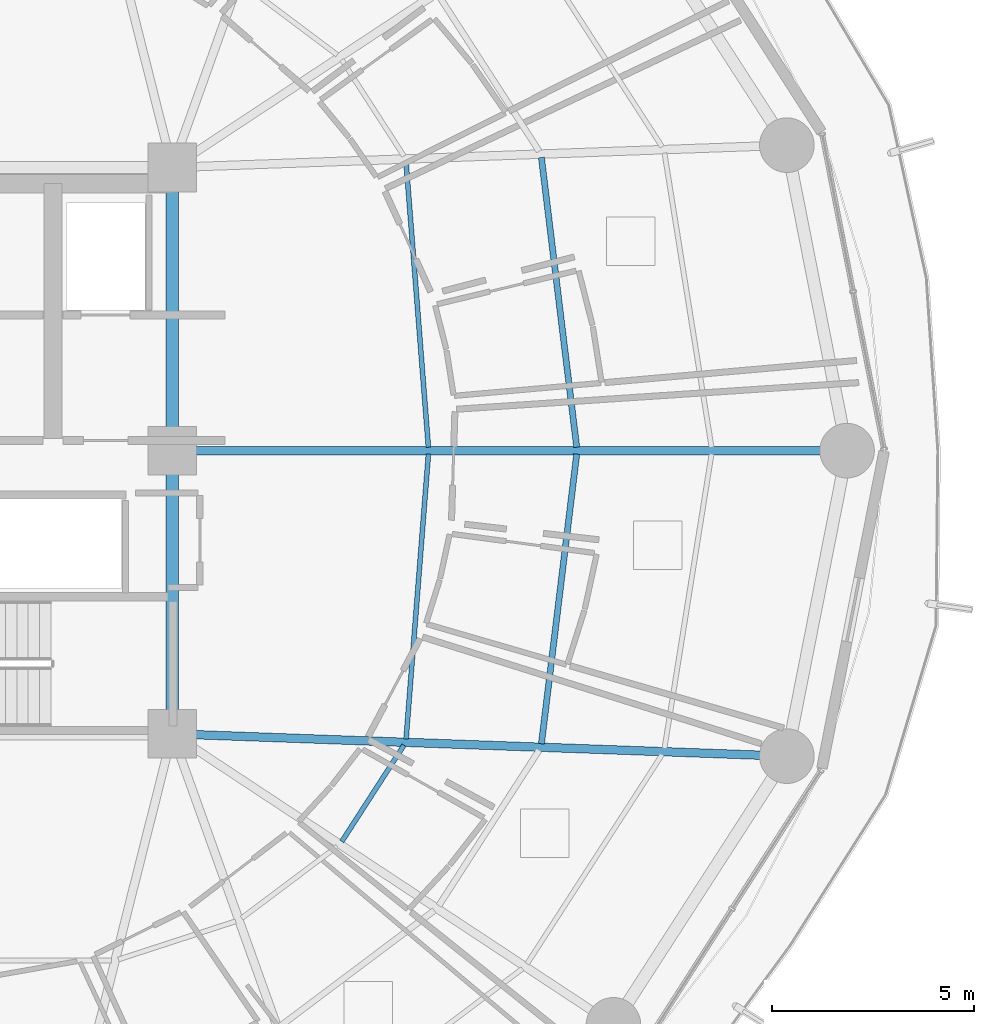
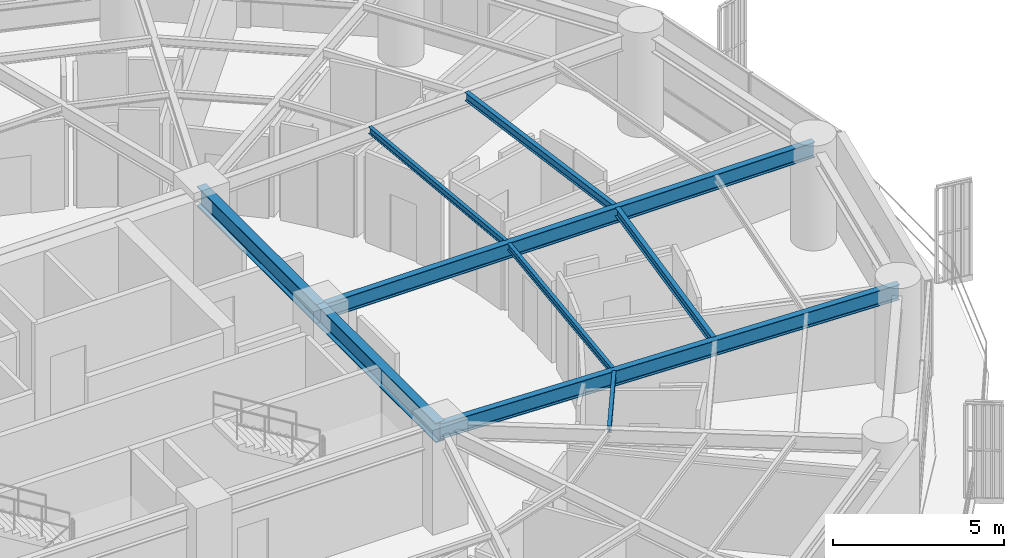
# One storey, part 15 of 36: 9 beams.
"""IFC4 building model written with IfcOpenShell, lengths in metres."""

import ifcopenshell
import ifcopenshell.guid

model = None  # the IFC model being written
_history = None  # IfcOwnerHistory: only IFC2X3 demands one
_inside = {}  # id of a spatial element -> (the spatial element, [elements in it])
_under = {}  # id of a project, library or spatial element -> (it, [spatial elements below it])
_declared = {}  # id of a project -> (the project, [libraries it declares])
_typed = {}  # id of a type object -> (the type object, [elements of that type])
_made_of = {}  # id of a material, layer set ... -> (it, [elements and type objects made of it])


def new_model(schema):
    """Start an empty IFC model of exactly this schema.

    Asked for "IFC4X3", IfcOpenShell would pick the latest addendum, in which some entities
    have other attributes; the version numbers below select the first issue.
    IFC2X3 requires an IfcOwnerHistory on every rooted entity: one is made here for all.
    """
    global model, _history
    if schema == "IFC4X3":
        model = ifcopenshell.file(schema_version=(4, 3, 0, 0))
    else:
        model = ifcopenshell.file(schema=schema)
    _inside.clear()
    _under.clear()
    _declared.clear()
    _typed.clear()
    _made_of.clear()
    _history = None
    if model.schema == "IFC2X3":
        org = make("IfcOrganization", Name="unknown")
        user = make(
            "IfcPersonAndOrganization",
            ThePerson=make("IfcPerson", FamilyName="unknown"),
            TheOrganization=org,
        )
        app = make(
            "IfcApplication",
            ApplicationDeveloper=org,
            Version="unknown",
            ApplicationFullName="unknown",
            ApplicationIdentifier="unknown",
        )
        _history = make(
            "IfcOwnerHistory",
            OwningUser=user,
            OwningApplication=app,
            ChangeAction="ADDED",
            CreationDate=0,
        )
    return model


def make(cls, **values):
    """One entity of the class cls with the attributes given. An attribute that is None is left unset."""
    return model.create_entity(
        cls, **{name: value for name, value in values.items() if value is not None}
    )


def rooted(cls, **values):
    """An entity with a GlobalId (a new one), such as an element, a storey or a relation."""
    return make(cls, GlobalId=ifcopenshell.guid.new(), OwnerHistory=_history, **values)


def si_unit(unit_type, name, prefix=None):
    """IfcSIUnit, for example si_unit("LENGTHUNIT", "METRE", prefix="MILLI")."""
    return make("IfcSIUnit", UnitType=unit_type, Prefix=prefix, Name=name)


def assignment(units):
    """IfcUnitAssignment: the units of a project."""
    return None if units is None else make("IfcUnitAssignment", Units=units)


def point(xyz):
    """IfcCartesianPoint."""
    return None if xyz is None else make("IfcCartesianPoint", Coordinates=xyz)


def direction(xyz):
    """IfcDirection."""
    return None if xyz is None else make("IfcDirection", DirectionRatios=xyz)


def frame(location, z_axis=None, x_axis=None):
    """IfcAxis2Placement3D, a coordinate frame: its origin and axes. An axis left out is left unset."""
    return make(
        "IfcAxis2Placement3D",
        Location=point(location),
        Axis=direction(z_axis),
        RefDirection=direction(x_axis),
    )


def frame_2d(location, x_axis=None):
    """IfcAxis2Placement2D, a coordinate frame in the plane: its origin and x axis."""
    return make(
        "IfcAxis2Placement2D", Location=point(location), RefDirection=direction(x_axis)
    )


def origin():
    """The frame at (0, 0, 0) with its axes left unset."""
    return frame((0.0, 0.0, 0.0))


def origin_2d():
    """The frame at (0, 0) in the plane with its x axis left unset."""
    return frame_2d((0.0, 0.0))


def place(relative_to, where):
    """IfcLocalPlacement: puts the frame where relative to a parent placement (None: the world)."""
    return make(
        "IfcLocalPlacement", PlacementRelTo=relative_to, RelativePlacement=where
    )


def context(
    kind, dimensions, precision=None, world=None, true_north=None, identifier=None
):
    """IfcGeometricRepresentationContext, for example the 3D "Model" context."""
    return make(
        "IfcGeometricRepresentationContext",
        ContextIdentifier=identifier,
        ContextType=kind,
        CoordinateSpaceDimension=dimensions,
        Precision=precision,
        WorldCoordinateSystem=world,
        TrueNorth=true_north,
    )


def subcontext(parent, identifier, kind, view, scale=None):
    """IfcGeometricRepresentationSubContext, for example "Body" below "Model"."""
    return make(
        "IfcGeometricRepresentationSubContext",
        ContextIdentifier=identifier,
        ContextType=kind,
        ParentContext=parent,
        TargetScale=scale,
        TargetView=view,
    )


def project(units=None, contexts=None):
    """IfcProject with its units and contexts."""
    return rooted(
        "IfcProject",
        Name="project",
        RepresentationContexts=contexts,
        UnitsInContext=assignment(units),
    )


def spatial(cls, under=None, at=None, **own):
    """A site, building, storey or space (cls), placed at a placement, below another one or the project."""
    s = rooted(cls, ObjectPlacement=at, **own)
    if under is not None:
        _under.setdefault(under.id(), (under, []))[1].append(s)
    return s


def profile(cls, at=None, kind="AREA", **sizes):
    """A parametric profile (cls). Its sizes go by their IFC names, for example OverallWidth=200.0."""
    return make(cls, ProfileType=kind, Position=at, **sizes)


def i_section(**sizes):
    """IfcIShapeProfileDef."""
    return profile("IfcIShapeProfileDef", **sizes)


def extrude(swept, where, along, depth):
    """IfcExtrudedAreaSolid: the profile swept, set in the frame where, extruded along a direction by depth."""
    return make(
        "IfcExtrudedAreaSolid",
        SweptArea=swept,
        Position=where,
        ExtrudedDirection=direction(along),
        Depth=depth,
    )


def shape(context_of_items, identifier, shape_type, items):
    """IfcShapeRepresentation: the items that make up one representation, for example the "Body"."""
    return make(
        "IfcShapeRepresentation",
        ContextOfItems=context_of_items,
        RepresentationIdentifier=identifier,
        RepresentationType=shape_type,
        Items=items,
    )


def material(Name=None, Category=None):
    """IfcMaterial."""
    return make("IfcMaterial", Name=Name, Category=Category)


def material_profile(
    of_material, cross_section, Name=None, Category=None, Priority=None
):
    """IfcMaterialProfile: a cross section and its material."""
    return make(
        "IfcMaterialProfile",
        Name=Name,
        Material=of_material,
        Profile=cross_section,
        Priority=Priority,
        Category=Category,
    )


def profile_set(profiles, Name=None, composite=None):
    """IfcMaterialProfileSet."""
    return make(
        "IfcMaterialProfileSet",
        Name=Name,
        MaterialProfiles=profiles,
        CompositeProfile=composite,
    )


def made_of(thing, what):
    """Note that an element or type object is made of a material, layer set ...; save() writes the relation."""
    if what is not None:
        _made_of.setdefault(what.id(), (what, []))[1].append(thing)
    return thing


def type_object(cls, material=None, **own):
    """A type object (cls), such as IfcWallType, which elements share."""
    return made_of(rooted(cls, **own), material)


def element(
    cls,
    number,
    at=None,
    inside=None,
    cuts=None,
    type_object=None,
    material=None,
    context=None,
    identifier="Body",
    shape_type=None,
    held_by="IfcProductDefinitionShape",
    body=None,
    shapes=None,
    **own,
):
    """One element of the class cls, such as IfcWall. Its Tag is "e" and its number.

    at: its placement. inside: the storey or other place that contains it. cuts: it is an
    opening in that element (IfcRelVoidsElement). A single representation is given by context,
    identifier, shape_type and body (its items); several are given by shapes. held_by: the class
    of the entity that holds the representations. save() writes the other relations.
    """
    e = rooted(cls, Tag="e%d" % number, ObjectPlacement=at, **own)
    if body is not None:
        shapes = [shape(context, identifier, shape_type, body)]
    if shapes is not None:
        e.Representation = make(held_by, Representations=shapes)
    if inside is not None:
        _inside.setdefault(inside.id(), (inside, []))[1].append(e)
    if cuts is not None:
        rooted(
            "IfcRelVoidsElement", RelatingBuildingElement=cuts, RelatedOpeningElement=e
        )
    if type_object is not None:
        _typed.setdefault(type_object.id(), (type_object, []))[1].append(e)
    return made_of(e, material)


def aggregate(whole, parts):
    """IfcRelAggregates: a whole, such as a stair, and the parts it consists of."""
    return rooted("IfcRelAggregates", RelatingObject=whole, RelatedObjects=parts)


def save(model, path):
    """Write the relations noted so far, then the file.

    IfcRelAggregates (storeys below a building ...), IfcRelContainedInSpatialStructure (elements
    in a storey), IfcRelDefinesByType, IfcRelAssociatesMaterial and IfcRelDeclares: one each for
    every whole, place, type object, material and project.
    """
    for whole, parts in _under.values():
        aggregate(whole, parts)
    for where, things in _inside.values():
        rooted(
            "IfcRelContainedInSpatialStructure",
            RelatedElements=things,
            RelatingStructure=where,
        )
    for kind, things in _typed.values():
        rooted("IfcRelDefinesByType", RelatedObjects=things, RelatingType=kind)
    for what, things in _made_of.values():
        rooted("IfcRelAssociatesMaterial", RelatedObjects=things, RelatingMaterial=what)
    for by, libraries in _declared.values():
        rooted("IfcRelDeclares", RelatingContext=by, RelatedDefinitions=libraries)
    model.write(path)


model = new_model("IFC4")

# Units and contexts
model_context = context("Model", 3, precision=1e-05, world=origin(), true_north=direction((0.0, 1.0)))
body_context = subcontext(model_context, "Body", "Model", "MODEL_VIEW")
ifc_project = project(units=[si_unit("LENGTHUNIT", "METRE"), si_unit("AREAUNIT", "SQUARE_METRE"), si_unit("VOLUMEUNIT", "CUBIC_METRE"), si_unit("PLANEANGLEUNIT", "RADIAN"), si_unit("MASSUNIT", "GRAM", prefix="KILO")], contexts=[model_context])

# Site, building, storey
site_placement = place(None, origin())
site = spatial("IfcSite", under=ifc_project, at=site_placement, CompositionType="ELEMENT")
building_placement = place(site_placement, origin())
building = spatial("IfcBuilding", under=site, at=building_placement, Name="Kelanora Arch Commons", CompositionType="ELEMENT")
storey_placement = place(building_placement, frame((0.0, 0.0, 102.60009765625)))
storey = spatial("IfcBuildingStorey", under=building, at=storey_placement, Name="L26", CompositionType="ELEMENT", Elevation=102.60009765625)

# Beams
ifc_material = material(Name="Steel S355", Category="steel")
ifc_material_profile_1 = material_profile(ifc_material, i_section(OverallWidth=0.300048828125, OverallDepth=0.699951171875, WebThickness=0.01708984375, FlangeThickness=0.031982421875, FilletRadius=0.027099609375, at=origin_2d()), Name="HEB700")
ifc_profile_set_1 = profile_set([ifc_material_profile_1], Name="Steel S355")
beam_type_1 = type_object("IfcBeamType", Name="BM-CORE-HDR", PredefinedType="BEAM", material=ifc_profile_set_1)
for number, where, z_axis, x_axis, name in (
    (1, (82.0, 51.0, 3.139892578125), (0.0, 1.0, 0.0), (-1.0, 0.0, 0.0), "Core Header Beam 03 L26"),
    (2, (82.0, 58.0, 3.139892578125), (0.0, 1.0, 0.0), (-1.0, 0.0, 0.0), "Core Header Beam 04 L26"),
):
    element("IfcBeam", number, at=place(storey_placement, frame(where, z_axis=z_axis, x_axis=x_axis)), inside=storey, type_object=beam_type_1, Name=name, PredefinedType="BEAM", context=body_context, shape_type="SweptSolid", body=[
        extrude(i_section(OverallWidth=0.300048828125, OverallDepth=0.699951171875, WebThickness=0.01708984375, FlangeThickness=0.031982421875, FilletRadius=0.027099609375, at=origin_2d()), origin(), (0.0, 0.0, 1.0), 7.0),
    ])
ifc_material_profile_2 = material_profile(ifc_material, i_section(OverallWidth=0.14990234375, OverallDepth=0.300048828125, WebThickness=0.007080078125, FlangeThickness=0.0107421875, FilletRadius=0.014892578125, at=origin_2d()), Name="IPE300")
ifc_profile_set_2 = profile_set([ifc_material_profile_2], Name="Steel S355")
beam_type_2 = type_object("IfcBeamType", Name="BM-JST-01", PredefinedType="JOIST", material=ifc_profile_set_2)
for number, where, z_axis, x_axis, name in (
    (3, (91.997802734375, 58.08447265625, 3.33984375), (-0.120935645266, 0.992660349618, 0.0), (-0.992660349618, -0.120935645266, 0.0), "Secondary Chord Joist BJB-00 L26"),
    (4, (91.125244140625, 50.75341796875, 3.33984375), (0.120935645266, 0.992660349618, 0.0), (-0.992660349618, 0.120935645266, 0.0), "Secondary Chord Joist BJB-34 L26"),
):
    element("IfcBeam", number, at=place(storey_placement, frame(where, z_axis=z_axis, x_axis=x_axis)), inside=storey, type_object=beam_type_2, Name=name, PredefinedType="JOIST", context=body_context, shape_type="SweptSolid", body=[
        extrude(i_section(OverallWidth=0.14990234375, OverallDepth=0.300048828125, WebThickness=0.007080078125, FlangeThickness=0.0107421875, FilletRadius=0.014892578125, at=origin_2d()), origin(), (0.0, 0.0, 1.0), 7.215087890625),
    ])
ifc_material_profile_3 = material_profile(ifc_material, i_section(OverallWidth=0.1201171875, OverallDepth=0.239990234375, WebThickness=0.006103515625, FlangeThickness=0.009765625, FilletRadius=0.014892578125, at=origin_2d()), Name="IPE240")
ifc_profile_set_3 = profile_set([ifc_material_profile_3], Name="Steel S355")
beam_type_3 = type_object("IfcBeamType", Name="BM-JST-02", PredefinedType="JOIST", material=ifc_profile_set_3)
beam_1_placement = place(storey_placement, frame((88.331787109375, 58.084716796875, 3.369873046875), z_axis=(-0.078200677502, 0.996937637989, 0.0), x_axis=(-0.996937637989, -0.078200677502, 0.0)))
element("IfcBeam", 5, at=beam_1_placement, inside=storey, type_object=beam_type_3, Name="Secondary Chord Joist BJA-00 L26", PredefinedType="JOIST", context=body_context, shape_type="SweptSolid", body=[
    extrude(i_section(OverallWidth=0.1201171875, OverallDepth=0.239990234375, WebThickness=0.006103515625, FlangeThickness=0.009765625, FilletRadius=0.014892578125, at=origin_2d()), origin(), (0.0, 0.0, 1.0), 7.06201171875),
])
beam_2_placement = place(storey_placement, frame((86.1904296875, 48.338134765625, 3.369873046875), z_axis=(0.542211255502, 0.840242199849, 0.0), x_axis=(-0.840242199849, 0.542211255502, 0.0)))
element("IfcBeam", 6, at=beam_2_placement, inside=storey, type_object=beam_type_3, Name="Secondary Chord Joist BJA-32 L26", PredefinedType="JOIST", context=body_context, shape_type="SweptSolid", body=[
    extrude(i_section(OverallWidth=0.1201171875, OverallDepth=0.239990234375, WebThickness=0.006103515625, FlangeThickness=0.009765625, FilletRadius=0.014892578125, at=origin_2d()), origin(), (0.0, 0.0, 1.0), 2.83349609375),
])
beam_3_placement = place(storey_placement, frame((87.779541015625, 50.875, 3.369873046875), z_axis=(0.078200677502, 0.996937637989, 0.0), x_axis=(-0.996937637989, 0.078200677502, 0.0)))
element("IfcBeam", 7, at=beam_3_placement, inside=storey, type_object=beam_type_3, Name="Secondary Chord Joist BJA-34 L26", PredefinedType="JOIST", context=body_context, shape_type="SweptSolid", body=[
    extrude(i_section(OverallWidth=0.1201171875, OverallDepth=0.239990234375, WebThickness=0.006103515625, FlangeThickness=0.009765625, FilletRadius=0.014892578125, at=origin_2d()), origin(), (0.0, 0.0, 1.0), 7.06201171875),
])
ifc_material_profile_4 = material_profile(ifc_material, i_section(OverallWidth=0.2099609375, OverallDepth=0.550048828125, WebThickness=0.010986328125, FlangeThickness=0.01708984375, FilletRadius=0.02392578125, at=origin_2d()), Name="IPE550")
ifc_profile_set_4 = profile_set([ifc_material_profile_4], Name="Steel S355")
beam_type_4 = type_object("IfcBeamType", Name="BM-RAD-Z2", PredefinedType="BEAM", material=ifc_profile_set_4)
beam_4_placement = place(storey_placement, frame((82.0, 58.0, 3.21484375), z_axis=(1.0, 0.0, 0.0), x_axis=(0.0, 1.0, 0.0)))
element("IfcBeam", 8, at=beam_4_placement, inside=storey, type_object=beam_type_4, Name="Radial Floor Girder BR-00 L26", PredefinedType="BEAM", context=body_context, shape_type="SweptSolid", body=[
    extrude(i_section(OverallWidth=0.2099609375, OverallDepth=0.550048828125, WebThickness=0.010986328125, FlangeThickness=0.01708984375, FilletRadius=0.02392578125, at=origin_2d()), origin(), (0.0, 0.0, 1.0), 16.679931640625),
])
beam_5_placement = place(storey_placement, frame((82.0, 51.0, 3.21484375), z_axis=(0.999341087625, -0.036295875581, 0.0), x_axis=(0.036295875581, 0.999341087625, 0.0)))
element("IfcBeam", 9, at=beam_5_placement, inside=storey, type_object=beam_type_4, Name="Radial Floor Girder BR-34 L26", PredefinedType="BEAM", context=body_context, shape_type="SweptSolid", body=[
    extrude(i_section(OverallWidth=0.2099609375, OverallDepth=0.550048828125, WebThickness=0.010986328125, FlangeThickness=0.01708984375, FilletRadius=0.02392578125, at=origin_2d()), origin(), (0.0, 0.0, 1.0), 15.20166015625),
])

save(model, "model.ifc")
